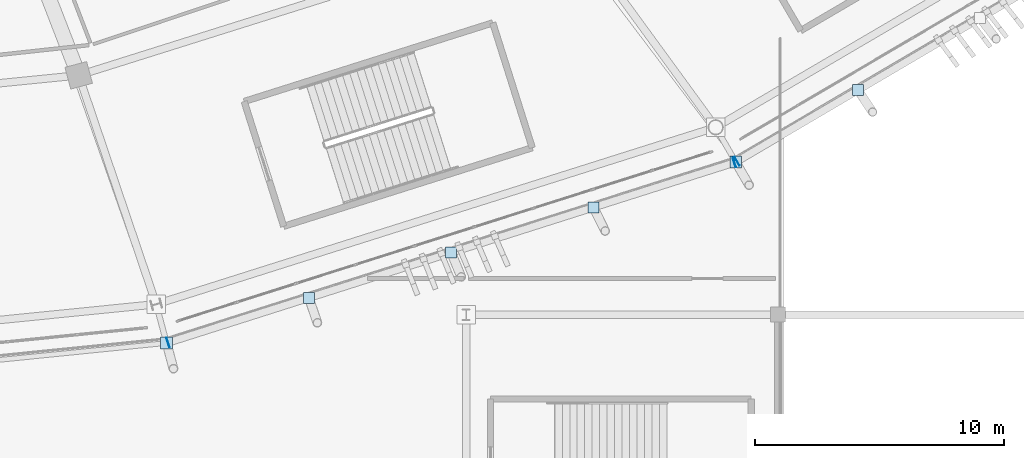
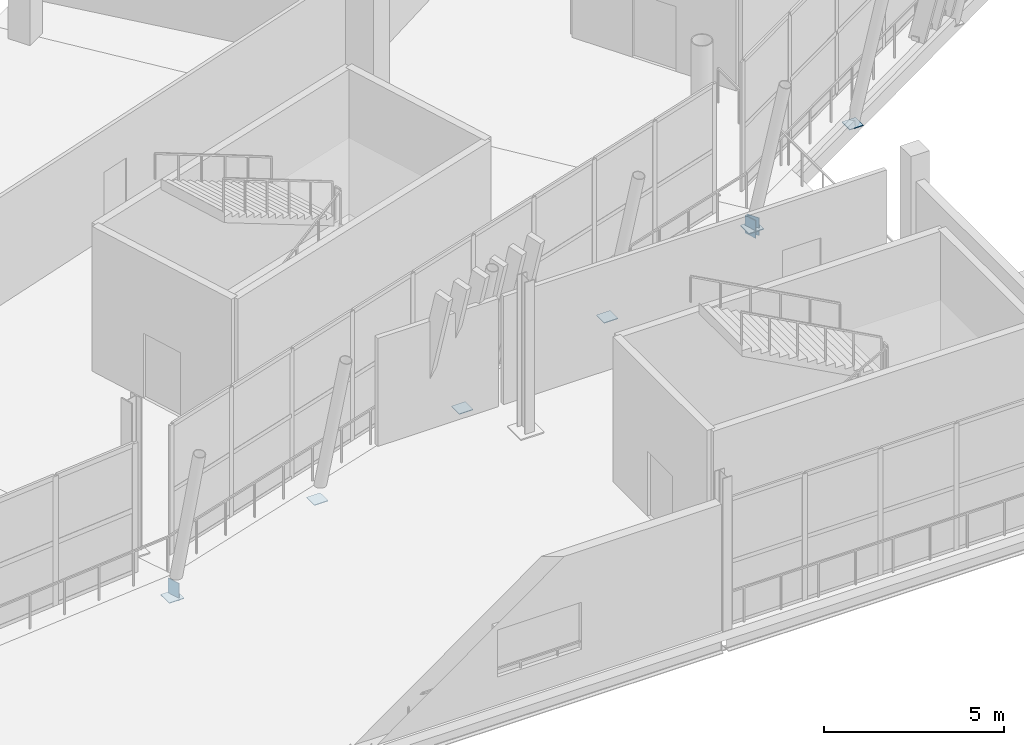
# One storey, part 109 of 178: 9 plates.
"""IFC4 building model written with IfcOpenShell, lengths in metres."""

from ifc_helpers import new_model, si_unit, direction, frame, origin, origin_2d, place, context, subcontext, project, spatial, rectangle, extrude, material, layer, layer_set, type_object, element, save


model = new_model("IFC4")

# Units and contexts
model_context = context("Model", 3, precision=1e-05, world=origin(), true_north=direction((0.0, 1.0)))
body_context = subcontext(model_context, "Body", "Model", "MODEL_VIEW")
ifc_project = project(units=[si_unit("LENGTHUNIT", "METRE"), si_unit("AREAUNIT", "SQUARE_METRE"), si_unit("VOLUMEUNIT", "CUBIC_METRE"), si_unit("PLANEANGLEUNIT", "RADIAN"), si_unit("MASSUNIT", "GRAM", prefix="KILO")], contexts=[model_context])

# Site, building, storey
site_placement = place(None, origin())
site = spatial("IfcSite", under=ifc_project, at=site_placement, CompositionType="ELEMENT")
building_placement = place(site_placement, origin())
building = spatial("IfcBuilding", under=site, at=building_placement, Name="Zlatoyarsky Gate Stadium", CompositionType="ELEMENT")
storey_placement = place(building_placement, frame((0.0, 0.0, 5.39990234375)))
storey = spatial("IfcBuildingStorey", under=building, at=storey_placement, Name="L01", CompositionType="ELEMENT", Elevation=5.39990234375)

# Plates
ifc_material = material(Name="Steel S355", Category="steel")
ifc_layer = layer(ifc_material, 0.02392578125)
ifc_layer_set = layer_set([ifc_layer], Name="Steel S355")
plate_type = type_object("IfcPlateType", Name="STEEL HOLLOW CHORD SPLICE SHEET 24", PredefinedType="SHEET", material=ifc_layer_set)
for number, where, z_axis, x_axis, name in (
    (1, (135.543701171875, 9.8837890625, -0.849853515625), (0.0, 0.0, 1.0), (0.953005501853, 0.302952988826, 0.0), "Hollow end cap ND-SP1 CAP-L01-SPD-19 A"),
    (2, (158.2470703125, 17.10107421875, -0.849853515625), (0.0, 0.0, 1.0), (0.953005501853, 0.302952988826, 0.0), "Hollow end cap ND-SP1 CAP-L01-SPD-19 B"),
):
    element("IfcPlate", number, at=place(storey_placement, frame(where, z_axis=z_axis, x_axis=x_axis)), inside=storey, type_object=plate_type, Name=name, PredefinedType="SHEET", context=body_context, shape_type="SweptSolid", body=[
        extrude(rectangle(XDim=0.02392578125, YDim=0.39990234375, at=origin_2d()), origin(), (0.0, 0.0, 1.0), 0.60009765625),
    ])
plate_1_placement = place(storey_placement, frame((135.486572265625, 9.865478515625, -0.77197265625), z_axis=(0.0, 0.0, 1.0), x_axis=(1.0, 0.0, 0.0)))
element("IfcPlate", 3, at=plate_1_placement, inside=storey, type_object=plate_type, Name="Node closure plate ND-SP1 NCAP-L01-RSTR-19", PredefinedType="SHEET", context=body_context, shape_type="SweptSolid", body=[
    extrude(rectangle(XDim=0.47998046875, YDim=0.47998046875, at=origin_2d()), origin(), (0.0, 0.0, 1.0), 0.02392578125),
])
plate_2_placement = place(storey_placement, frame((158.35595703125, 17.149658203125, -0.849853515625), z_axis=(0.0, 0.0, 1.0), x_axis=(0.861685850781, 0.50744210957, 0.0)))
element("IfcPlate", 4, at=plate_2_placement, inside=storey, type_object=plate_type, Name="Hollow end cap ND-SP1 CAP-L01-SPD-20 A", PredefinedType="SHEET", context=body_context, shape_type="SweptSolid", body=[
    extrude(rectangle(XDim=0.02392578125, YDim=0.39990234375, at=origin_2d()), origin(), (0.0, 0.0, 1.0), 0.60009765625),
])
plate_3_placement = place(storey_placement, frame((158.30419921875, 17.119140625, -0.61181640625), z_axis=(0.0, 0.0, 1.0), x_axis=(1.0, 0.0, 0.0)))
element("IfcPlate", 5, at=plate_3_placement, inside=storey, type_object=plate_type, Name="Node closure plate ND-SP1 NCAP-L01-RSTR-20", PredefinedType="SHEET", context=body_context, shape_type="SweptSolid", body=[
    extrude(rectangle(XDim=0.47998046875, YDim=0.47998046875, at=origin_2d()), origin(), (0.0, 0.0, 1.0), 0.02392578125),
])
for number, where, z_axis, x_axis, name in (
    (6, (141.19091796875, 11.678955078125, -0.561767578125), (0.0, 0.0, 1.0), (1.0, 0.0, 0.0), "Node closure plate ND-SP1 NCAP-RIB-19-1-0B"),
    (7, (146.8955078125, 13.492431640625, -0.561767578125), (0.0, 0.0, 1.0), (1.0, 0.0, 0.0), "Node closure plate ND-SP1 NCAP-RIB-19-2-0B"),
    (8, (152.599853515625, 15.305908203125, -0.561767578125), (0.0, 0.0, 1.0), (1.0, 0.0, 0.0), "Node closure plate ND-SP1 NCAP-RIB-19-3-0B"),
    (9, (163.202880859375, 20.00390625, -0.561767578125), (0.0, 0.0, 1.0), (1.0, 0.0, 0.0), "Node closure plate ND-SP1 NCAP-RIB-20-1-0B"),
):
    element("IfcPlate", number, at=place(storey_placement, frame(where, z_axis=z_axis, x_axis=x_axis)), inside=storey, type_object=plate_type, Name=name, PredefinedType="SHEET", context=body_context, shape_type="SweptSolid", body=[
        extrude(rectangle(XDim=0.43994140625, YDim=0.43994140625, at=origin_2d()), origin(), (0.0, 0.0, 1.0), 0.02392578125),
    ])

save(model, "model.ifc")
